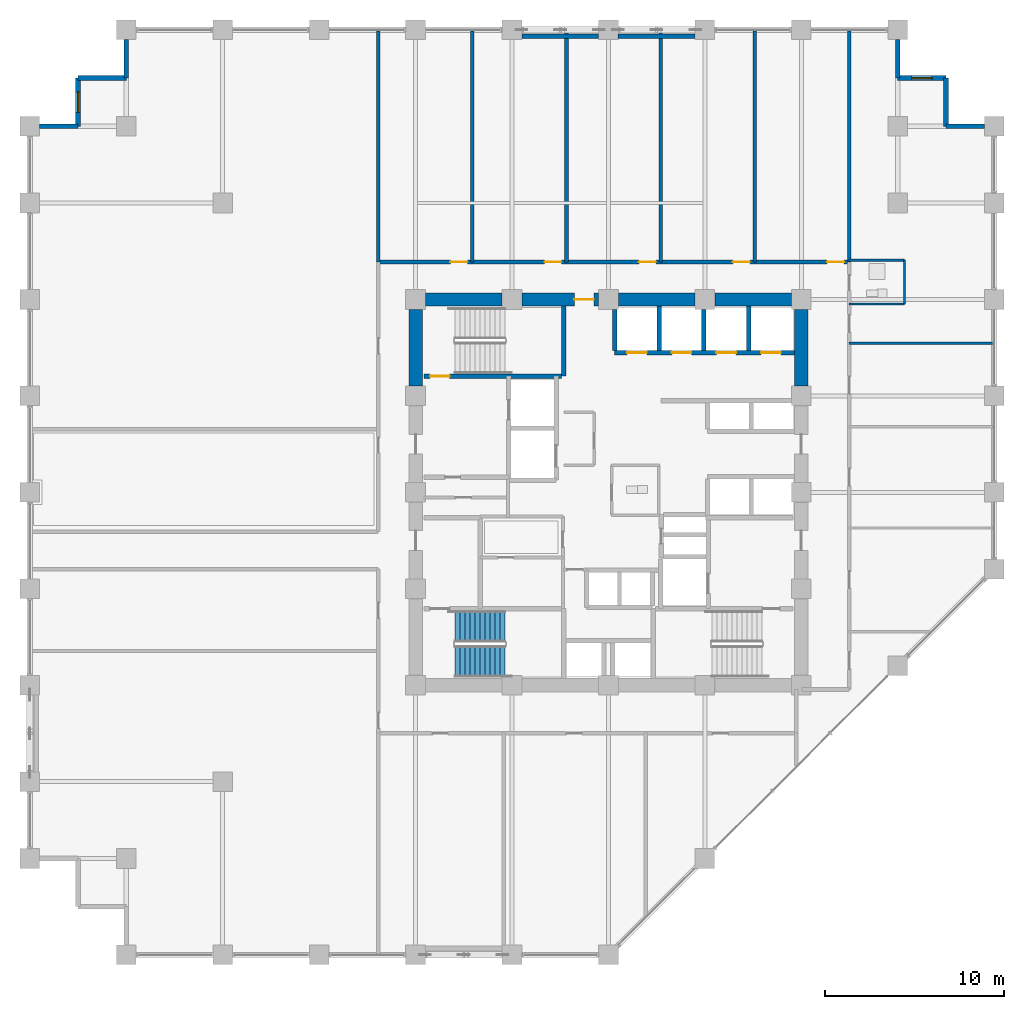
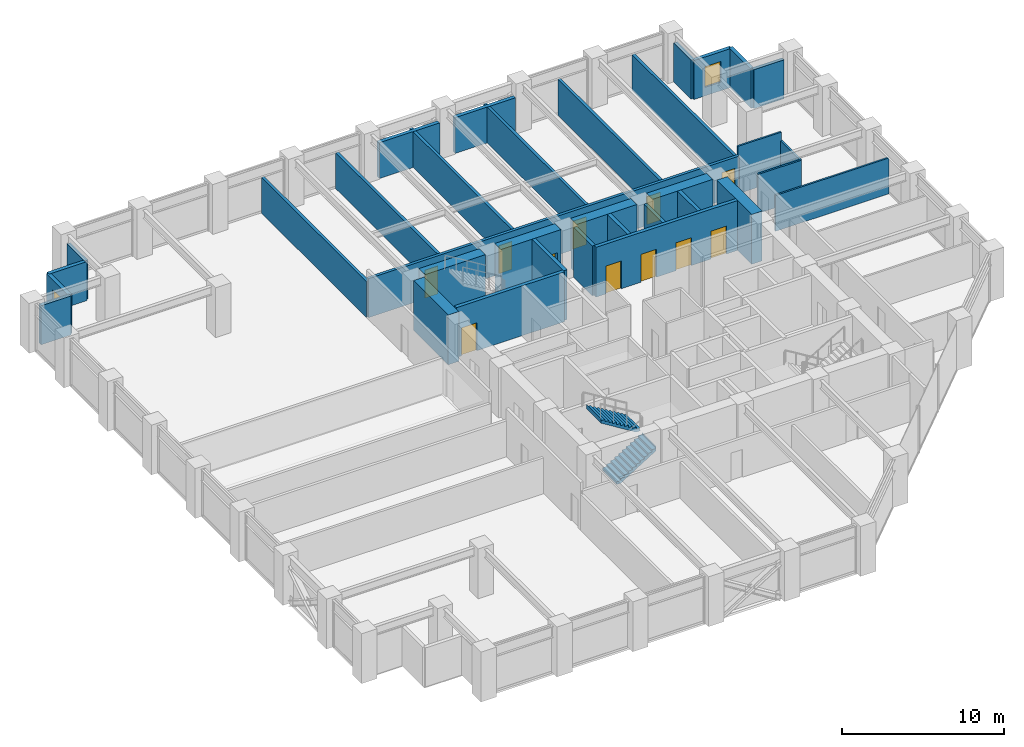
# One storey, part 21 of 25: 34 walls, 11 doors, 2 stair flights, 2 windows, 13 openings, 1 element without a shape of its own.
"""IFC4 building model written with IfcOpenShell, lengths in metres."""

from ifc_helpers import new_model, si_unit, direction, frame, frame_2d, origin, place, context, subcontext, project, spatial, polyline, rectangle, outline, extrude, material, layer, layer_set, type_object, element, fill, aggregate, save


model = new_model("IFC4")

# Units and contexts
model_context = context("Model", 3, precision=1e-05, world=origin(), true_north=direction((0.0, 1.0)))
body_context = subcontext(model_context, "Body", "Model", "MODEL_VIEW")
ifc_project = project(units=[si_unit("LENGTHUNIT", "METRE"), si_unit("AREAUNIT", "SQUARE_METRE"), si_unit("VOLUMEUNIT", "CUBIC_METRE"), si_unit("PLANEANGLEUNIT", "RADIAN"), si_unit("MASSUNIT", "GRAM", prefix="KILO")], contexts=[model_context])

# Site, building, storey
site_placement = place(None, origin())
site = spatial("IfcSite", under=ifc_project, at=site_placement, CompositionType="ELEMENT")
building_placement = place(site_placement, origin())
building = spatial("IfcBuilding", under=site, at=building_placement, Name="Surkhivell Harbour Commons", CompositionType="ELEMENT")
storey_placement = place(building_placement, frame((0.0, 0.0, 120.75)))
storey = spatial("IfcBuildingStorey", under=building, at=storey_placement, Name="L31", CompositionType="ELEMENT", Elevation=120.75)

# Wall
ifc_material_1 = material(Name="Concrete C60/75", Category="concrete")
ifc_layer_1 = layer(ifc_material_1, 0.75)
ifc_layer_set_1 = layer_set([ifc_layer_1], Name="Concrete C60/75")
wall_type_1 = type_object("IfcWallType", Name="WAL-CORE-750", PredefinedType="SHEAR", material=ifc_layer_set_1)
wall_1_placement = place(storey_placement, frame((-10.239990234375, 10.800048828125, 0.0), z_axis=(0.0, 0.0, 1.0), x_axis=(1.0, 0.0, 0.0)))
element("IfcWall", 1, at=wall_1_placement, inside=storey, type_object=wall_type_1, Name="L31 Core Shear Wall North 1", PredefinedType="SHEAR", context=body_context, shape_type="SweptSolid", body=[
    extrude(rectangle(XDim=4.280029296875, YDim=0.75, at=frame_2d((2.14013671875, 0.0))), origin(), (0.0, 0.0, 1.0), 3.75),
])

# Wall, opening, door
wall_2_placement = place(storey_placement, frame((-4.840087890625, 10.800048828125, 0.0), z_axis=(0.0, 0.0, 1.0), x_axis=(1.0, 0.0, 0.0)))
wall_2 = element("IfcWall", 2, at=wall_2_placement, inside=storey, type_object=wall_type_1, Name="L31 Core Shear Wall North 2", PredefinedType="SHEAR", context=body_context, shape_type="SweptSolid", body=[
    extrude(rectangle(XDim=4.280029296875, YDim=0.75, at=frame_2d((2.14013671875, 0.0))), origin(), (0.0, 0.0, 1.0), 3.75),
])
opening_1_placement = place(wall_2_placement, frame((2.929931640625, 0.0, 0.0)))
opening_1 = element("IfcOpeningElement", 3, at=opening_1_placement, cuts=wall_2, Name="Opening ID-2", PredefinedType="OPENING", context=body_context, shape_type="SweptSolid", body=[
    extrude(rectangle(XDim=1.10009765625, YDim=2.10009765625, at=frame_2d((0.550048828125, 1.050048828125))), frame((0.0, 0.385009765625, 0.0), z_axis=(0.0, -1.0, 0.0), x_axis=(1.0, 0.0, 0.0)), (0.0, 0.0, 1.0), 0.77001953125),
])
ifc_material_2 = material(Name="Hardwood-veneered fire-rated door leaf", Category="wood")
door_type_1 = type_object("IfcDoorType", Name="DOR-FD60-1100", OperationType="NOTDEFINED", PredefinedType="DOOR", material=ifc_material_2)
door_1_placement = place(opening_1_placement, origin())
door_1 = element("IfcDoor", 4, at=door_1_placement, inside=storey, type_object=door_type_1, Name="L31 Central Core Lift Hall North Corridor Door", OperationType="SINGLE_SWING_LEFT", OverallHeight=2.10009765625, OverallWidth=1.10009765625, PredefinedType="DOOR", context=body_context, shape_type="SweptSolid", body=[
    extrude(rectangle(XDim=1.10009765625, YDim=2.10009765625, at=frame_2d((0.550048828125, 1.050048828125))), frame((0.0, 0.02490234375, 0.0), z_axis=(0.0, -1.0, 0.0), x_axis=(1.0, 0.0, 0.0)), (0.0, 0.0, 1.0), 0.050048828125),
])
fill(opening_1, door_1)

# Walls
for number, where, z_axis, x_axis, name in (
    (5, (0.56005859375, 10.800048828125, 0.0), (0.0, 0.0, 1.0), (1.0, 0.0, 0.0), "L31 Core Shear Wall North 3"),
    (6, (5.9599609375, 10.800048828125, 0.0), (0.0, 0.0, 1.0), (1.0, 0.0, 0.0), "L31 Core Shear Wall North 4"),
    (7, (-10.800048828125, 5.9599609375, 0.0), (0.0, 0.0, 1.0), (0.0, 1.0, 0.0), "L31 Core Shear Wall West 4"),
    (8, (10.800048828125, 5.9599609375, 0.0), (0.0, 0.0, 1.0), (0.0, 1.0, 0.0), "L31 Core Shear Wall East 4"),
):
    element("IfcWall", number, at=place(storey_placement, frame(where, z_axis=z_axis, x_axis=x_axis)), inside=storey, type_object=wall_type_1, Name=name, PredefinedType="SHEAR", context=body_context, shape_type="SweptSolid", body=[
        extrude(rectangle(XDim=4.280029296875, YDim=0.75, at=frame_2d((2.14013671875, 0.0))), origin(), (0.0, 0.0, 1.0), 3.75),
    ])
ifc_material_3 = material(Name="Pale-metal insulated precast concrete C45/55", Category="concrete")
ifc_layer_2 = layer(ifc_material_3, 0.260009765625)
ifc_layer_set_2 = layer_set([ifc_layer_2], Name="Pale-metal insulated precast concrete C45/55")
wall_type_2 = type_object("IfcWallType", Name="WAL-EXT-MTL260", PredefinedType="STANDARD", material=ifc_layer_set_2)
wall_3_placement = place(storey_placement, frame((21.052001953125, 20.5, 0.0), z_axis=(0.0, 0.0, 1.0), x_axis=(-1.0, 0.0, 0.0)))
element("IfcWall", 9, at=wall_3_placement, inside=storey, type_object=wall_type_2, Name="L31 Serrated Corner Facade Wall 03", PredefinedType="STANDARD", context=body_context, shape_type="SweptSolid", body=[
    extrude(rectangle(XDim=2.152099609375, YDim=0.260009765625, at=frame_2d((1.076171875, 0.0))), origin(), (0.0, 0.0, 1.0), 2.93310546875),
])
wall_4_placement = place(storey_placement, frame((18.89990234375, 20.5, 0.0), z_axis=(0.0, 0.0, 1.0), x_axis=(0.0, 1.0, 0.0)))
element("IfcWall", 10, at=wall_4_placement, inside=storey, type_object=wall_type_2, Name="L31 Serrated Corner Facade Wall 04", PredefinedType="STANDARD", context=body_context, shape_type="SweptSolid", body=[
    extrude(rectangle(XDim=2.699951171875, YDim=0.260009765625, at=frame_2d((1.35009765625, 0.0))), origin(), (0.0, 0.0, 1.0), 2.93310546875),
])

# Wall, opening, window
wall_5_placement = place(storey_placement, frame((18.89990234375, 23.199951171875, 0.0), z_axis=(0.0, 0.0, 1.0), x_axis=(-1.0, 0.0, 0.0)))
wall_5 = element("IfcWall", 11, at=wall_5_placement, inside=storey, type_object=wall_type_2, Name="L31 Serrated Corner Facade Wall 05", PredefinedType="STANDARD", context=body_context, shape_type="SweptSolid", body=[
    extrude(rectangle(XDim=2.699951171875, YDim=0.260009765625, at=frame_2d((1.35009765625, 0.0))), origin(), (0.0, 0.0, 1.0), 2.93310546875),
])
opening_2_placement = place(wall_5_placement, frame((0.77490234375, 0.0, 0.64990234375)))
opening_2 = element("IfcOpeningElement", 12, at=opening_2_placement, cuts=wall_5, Name="Opening WN-10", PredefinedType="OPENING", context=body_context, shape_type="SweptSolid", body=[
    extrude(rectangle(XDim=1.14990234375, YDim=1.550048828125, at=frame_2d((0.574951171875, 0.77490234375))), frame((0.0, 0.139892578125, 0.0), z_axis=(0.0, -1.0, 0.0), x_axis=(1.0, 0.0, 0.0)), (0.0, 0.0, 1.0), 0.280029296875),
])
ifc_material_4 = material(Name="Thermal-break aluminium frame and double low-E glazing", Category="aluminium")
window_type = type_object("IfcWindowType", Name="WIN-SER-1150x1550", PartitioningType="SINGLE_PANEL", PredefinedType="WINDOW", material=ifc_material_4)
window_1_placement = place(opening_2_placement, origin())
window_1 = element("IfcWindow", 13, at=window_1_placement, inside=storey, type_object=window_type, Name="L31 Serrated Alcove Window 05", OverallHeight=1.550048828125, OverallWidth=1.14990234375, PartitioningType="SINGLE_PANEL", PredefinedType="WINDOW", context=body_context, shape_type="SweptSolid", body=[
    extrude(rectangle(XDim=1.14990234375, YDim=1.550048828125, at=frame_2d((0.574951171875, 0.77490234375))), frame((0.0, 0.030029296875, 0.0), z_axis=(0.0, -1.0, 0.0), x_axis=(1.0, 0.0, 0.0)), (0.0, 0.0, 1.0), 0.06005859375),
])
fill(opening_2, window_1)

# Walls
wall_6_placement = place(storey_placement, frame((16.199951171875, 23.199951171875, 0.0), z_axis=(0.0, 0.0, 1.0), x_axis=(0.0, 1.0, 0.0)))
element("IfcWall", 14, at=wall_6_placement, inside=storey, type_object=wall_type_2, Name="L31 Serrated Corner Facade Wall 06", PredefinedType="STANDARD", context=body_context, shape_type="SweptSolid", body=[
    extrude(rectangle(XDim=2.152099609375, YDim=0.260009765625, at=frame_2d((1.076171875, 0.0))), origin(), (0.0, 0.0, 1.0), 2.93310546875),
])
for number, where, z_axis, x_axis, name in (
    (15, (-0.548095703125, 25.5400390625, 0.0), (0.0, 0.0, 1.0), (-1.0, 0.0, 0.0), "L31 Braced-Bay Insulated Spandrel Backing N"),
    (16, (4.85205078125, 25.5400390625, 0.0), (0.0, 0.0, 1.0), (-1.0, 0.0, 0.0), "L31 Braced-Bay Insulated Spandrel Backing N2"),
):
    element("IfcWall", number, at=place(storey_placement, frame(where, z_axis=z_axis, x_axis=x_axis)), inside=storey, type_object=wall_type_2, Name=name, PredefinedType="STANDARD", context=body_context, shape_type="SweptSolid", body=[
        extrude(rectangle(XDim=4.303955078125, YDim=0.260009765625, at=frame_2d((2.15185546875, 0.0))), origin(), (0.0, 0.0, 1.0), 2.698974609375),
    ])
wall_7_placement = place(storey_placement, frame((-27.0, 25.35205078125, 0.0), z_axis=(0.0, 0.0, 1.0), x_axis=(0.0, -1.0, 0.0)))
element("IfcWall", 17, at=wall_7_placement, inside=storey, type_object=wall_type_2, Name="L31 Serrated Corner Facade Wall 08", PredefinedType="STANDARD", context=body_context, shape_type="SweptSolid", body=[
    extrude(rectangle(XDim=2.152099609375, YDim=0.260009765625, at=frame_2d((1.076171875, 0.0))), origin(), (0.0, 0.0, 1.0), 2.93310546875),
])
wall_8_placement = place(storey_placement, frame((-27.0, 23.199951171875, 0.0), z_axis=(0.0, 0.0, 1.0), x_axis=(-1.0, 0.0, 0.0)))
element("IfcWall", 18, at=wall_8_placement, inside=storey, type_object=wall_type_2, Name="L31 Serrated Corner Facade Wall 09", PredefinedType="STANDARD", context=body_context, shape_type="SweptSolid", body=[
    extrude(rectangle(XDim=2.699951171875, YDim=0.260009765625, at=frame_2d((1.35009765625, 0.0))), origin(), (0.0, 0.0, 1.0), 2.93310546875),
])

# Wall, opening, window
wall_9_placement = place(storey_placement, frame((-29.699951171875, 23.199951171875, 0.0), z_axis=(0.0, 0.0, 1.0), x_axis=(0.0, -1.0, 0.0)))
wall_9 = element("IfcWall", 19, at=wall_9_placement, inside=storey, type_object=wall_type_2, Name="L31 Serrated Corner Facade Wall 10", PredefinedType="STANDARD", context=body_context, shape_type="SweptSolid", body=[
    extrude(rectangle(XDim=2.699951171875, YDim=0.260009765625, at=frame_2d((1.35009765625, 0.0))), origin(), (0.0, 0.0, 1.0), 2.93310546875),
])
opening_3_placement = place(wall_9_placement, frame((0.77490234375, 0.0, 0.64990234375)))
opening_3 = element("IfcOpeningElement", 20, at=opening_3_placement, cuts=wall_9, Name="Opening WN-10", PredefinedType="OPENING", context=body_context, shape_type="SweptSolid", body=[
    extrude(rectangle(XDim=1.14990234375, YDim=1.550048828125, at=frame_2d((0.574951171875, 0.77490234375))), frame((0.0, 0.139892578125, 0.0), z_axis=(0.0, -1.0, 0.0), x_axis=(1.0, 0.0, 0.0)), (0.0, 0.0, 1.0), 0.280029296875),
])
window_2_placement = place(opening_3_placement, origin())
window_2 = element("IfcWindow", 21, at=window_2_placement, inside=storey, type_object=window_type, Name="L31 Serrated Alcove Window 10", OverallHeight=1.550048828125, OverallWidth=1.14990234375, PartitioningType="SINGLE_PANEL", PredefinedType="WINDOW", context=body_context, shape_type="SweptSolid", body=[
    extrude(rectangle(XDim=1.14990234375, YDim=1.550048828125, at=frame_2d((0.574951171875, 0.77490234375))), frame((0.0, 0.030029296875, 0.0), z_axis=(0.0, -1.0, 0.0), x_axis=(1.0, 0.0, 0.0)), (0.0, 0.0, 1.0), 0.06005859375),
])
fill(opening_3, window_2)

# Walls
wall_10_placement = place(storey_placement, frame((-29.699951171875, 20.5, 0.0), z_axis=(0.0, 0.0, 1.0), x_axis=(-1.0, 0.0, 0.0)))
element("IfcWall", 22, at=wall_10_placement, inside=storey, type_object=wall_type_2, Name="L31 Serrated Corner Facade Wall 11", PredefinedType="STANDARD", context=body_context, shape_type="SweptSolid", body=[
    extrude(rectangle(XDim=2.152099609375, YDim=0.260009765625, at=frame_2d((1.076171875, 0.0))), origin(), (0.0, 0.0, 1.0), 2.93310546875),
])
ifc_material_5 = material(Name="Moisture-resistant acoustic stud partition", Category="other")
ifc_layer_3 = layer(ifc_material_5, 0.125)
ifc_layer_set_3 = layer_set([ifc_layer_3], Name="Moisture-resistant acoustic stud partition")
wall_type_3 = type_object("IfcWallType", Name="WAL-INT-125", PredefinedType="PARTITIONING", material=ifc_layer_set_3)
wall_11_placement = place(storey_placement, frame((16.580078125, 10.550048828125, 0.0), z_axis=(0.0, 0.0, 1.0), x_axis=(0.0, 1.0, 0.0)))
element("IfcWall", 23, at=wall_11_placement, inside=storey, type_object=wall_type_3, Name="L31 East Partition BTHB", PredefinedType="PARTITIONING", context=body_context, shape_type="SweptSolid", body=[
    extrude(rectangle(XDim=2.449951171875, YDim=0.125, at=frame_2d((1.22509765625, 0.0))), origin(), (0.0, 0.0, 1.0), 2.93310546875),
])
wall_12_placement = place(storey_placement, frame((13.47998046875, 13.0, 0.0), z_axis=(0.0, 0.0, 1.0), x_axis=(1.0, 0.0, 0.0)))
element("IfcWall", 24, at=wall_12_placement, inside=storey, type_object=wall_type_3, Name="L31 East Partition BTHN", PredefinedType="PARTITIONING", context=body_context, shape_type="SweptSolid", body=[
    extrude(rectangle(XDim=3.10009765625, YDim=0.125, at=frame_2d((1.550048828125, 0.0))), origin(), (0.0, 0.0, 1.0), 3.570068359375),
])
wall_13_placement = place(storey_placement, frame((13.47998046875, 10.550048828125, 0.0), z_axis=(0.0, 0.0, 1.0), x_axis=(1.0, 0.0, 0.0)))
element("IfcWall", 25, at=wall_13_placement, inside=storey, type_object=wall_type_3, Name="L31 East Partition BTHS", PredefinedType="PARTITIONING", context=body_context, shape_type="SweptSolid", body=[
    extrude(rectangle(XDim=3.10009765625, YDim=0.125, at=frame_2d((1.550048828125, 0.0))), origin(), (0.0, 0.0, 1.0), 2.93310546875),
])
wall_14_placement = place(storey_placement, frame((13.47998046875, 8.35009765625, 0.0), z_axis=(0.0, 0.0, 1.0), x_axis=(1.0, 0.0, 0.0)))
element("IfcWall", 26, at=wall_14_placement, inside=storey, type_object=wall_type_3, Name="L31 East Partition PTOP", PredefinedType="PARTITIONING", context=body_context, shape_type="SweptSolid", body=[
    extrude(rectangle(XDim=8.06005859375, YDim=0.125, at=frame_2d((4.030029296875, 0.0))), origin(), (0.0, 0.0, 1.0), 2.698974609375),
])
ifc_material_6 = material(Name="Autoclaved aerated concrete blockwork and fire plaster", Category="masonry")
ifc_layer_4 = layer(ifc_material_6, 0.199951171875)
ifc_layer_set_4 = layer_set([ifc_layer_4], Name="Autoclaved aerated concrete blockwork and fire plaster")
wall_type_4 = type_object("IfcWallType", Name="WAL-INT-200", PredefinedType="PARTITIONING", material=ifc_layer_set_4)
for number, where, z_axis, x_axis, name in (
    (27, (13.47998046875, 12.89990234375, 0.0), (0.0, 0.0, 1.0), (0.0, 1.0, 0.0), "L31 North-East Wing Corner Divider"),
    (28, (-12.89990234375, 12.89990234375, 0.0), (0.0, 0.0, 1.0), (0.0, 1.0, 0.0), "L31 North-West Wing Corner Divider"),
):
    element("IfcWall", number, at=place(storey_placement, frame(where, z_axis=z_axis, x_axis=x_axis)), inside=storey, type_object=wall_type_4, Name=name, PredefinedType="PARTITIONING", context=body_context, shape_type="SweptSolid", body=[
        extrude(rectangle(XDim=12.940185546875, YDim=0.199951171875, at=frame_2d((6.47021484375, 0.0))), origin(), (0.0, 0.0, 1.0), 2.698974609375),
    ])

# Wall, openings, doors
wall_15_placement = place(storey_placement, frame((-12.89990234375, 12.89990234375, 0.0), z_axis=(0.0, 0.0, 1.0), x_axis=(1.0, 0.0, 0.0)))
wall_15 = element("IfcWall", 29, at=wall_15_placement, inside=storey, type_object=wall_type_4, Name="L31 Corridor North Wall", PredefinedType="PARTITIONING", context=body_context, shape_type="SweptSolid", body=[
    extrude(rectangle(XDim=26.3798828125, YDim=0.199951171875, at=frame_2d((13.18994140625, 0.0))), origin(), (0.0, 0.0, 1.0), 2.93310546875),
])
opening_4_placement = place(wall_15_placement, frame((4.050048828125, 0.0, 0.0)))
opening_4 = element("IfcOpeningElement", 30, at=opening_4_placement, cuts=wall_15, Name="Opening ID-4", PredefinedType="OPENING", context=body_context, shape_type="SweptSolid", body=[
    extrude(rectangle(XDim=0.949951171875, YDim=2.10009765625, at=frame_2d((0.47509765625, 1.050048828125))), frame((0.0, 0.10986328125, 0.0), z_axis=(0.0, -1.0, 0.0), x_axis=(1.0, 0.0, 0.0)), (0.0, 0.0, 1.0), 0.219970703125),
])
opening_5_placement = place(wall_15_placement, frame((9.320068359375, 0.0, 0.0)))
opening_5 = element("IfcOpeningElement", 31, at=opening_5_placement, cuts=wall_15, Name="Opening ID-4", PredefinedType="OPENING", context=body_context, shape_type="SweptSolid", body=[
    extrude(rectangle(XDim=0.949951171875, YDim=2.10009765625, at=frame_2d((0.47509765625, 1.050048828125))), frame((0.0, 0.10986328125, 0.0), z_axis=(0.0, -1.0, 0.0), x_axis=(1.0, 0.0, 0.0)), (0.0, 0.0, 1.0), 0.219970703125),
])
opening_6_placement = place(wall_15_placement, frame((14.60009765625, 0.0, 0.0)))
opening_6 = element("IfcOpeningElement", 32, at=opening_6_placement, cuts=wall_15, Name="Opening ID-4", PredefinedType="OPENING", context=body_context, shape_type="SweptSolid", body=[
    extrude(rectangle(XDim=0.949951171875, YDim=2.10009765625, at=frame_2d((0.47509765625, 1.050048828125))), frame((0.0, 0.10986328125, 0.0), z_axis=(0.0, -1.0, 0.0), x_axis=(1.0, 0.0, 0.0)), (0.0, 0.0, 1.0), 0.219970703125),
])
opening_7_placement = place(wall_15_placement, frame((19.8701171875, 0.0, 0.0)))
opening_7 = element("IfcOpeningElement", 33, at=opening_7_placement, cuts=wall_15, Name="Opening ID-4", PredefinedType="OPENING", context=body_context, shape_type="SweptSolid", body=[
    extrude(rectangle(XDim=0.949951171875, YDim=2.10009765625, at=frame_2d((0.47509765625, 1.050048828125))), frame((0.0, 0.10986328125, 0.0), z_axis=(0.0, -1.0, 0.0), x_axis=(1.0, 0.0, 0.0)), (0.0, 0.0, 1.0), 0.219970703125),
])
opening_8_placement = place(wall_15_placement, frame((25.14990234375, 0.0, 0.0)))
opening_8 = element("IfcOpeningElement", 34, at=opening_8_placement, cuts=wall_15, Name="Opening ID-4", PredefinedType="OPENING", context=body_context, shape_type="SweptSolid", body=[
    extrude(rectangle(XDim=0.949951171875, YDim=2.10009765625, at=frame_2d((0.47509765625, 1.050048828125))), frame((0.0, 0.10986328125, 0.0), z_axis=(0.0, -1.0, 0.0), x_axis=(1.0, 0.0, 0.0)), (0.0, 0.0, 1.0), 0.219970703125),
])
door_type_2 = type_object("IfcDoorType", Name="DOR-FD60-950", OperationType="NOTDEFINED", PredefinedType="DOOR", material=ifc_material_2)
door_2_placement = place(opening_4_placement, origin())
door_2 = element("IfcDoor", 35, at=door_2_placement, inside=storey, type_object=door_type_2, Name="L31 Co-Working Study Office Pod 1 North Door", OperationType="SINGLE_SWING_RIGHT", OverallHeight=2.10009765625, OverallWidth=0.949951171875, PredefinedType="DOOR", context=body_context, shape_type="SweptSolid", body=[
    extrude(rectangle(XDim=0.949951171875, YDim=2.10009765625, at=frame_2d((0.47509765625, 1.050048828125))), frame((0.0, 0.02490234375, 0.0), z_axis=(0.0, -1.0, 0.0), x_axis=(1.0, 0.0, 0.0)), (0.0, 0.0, 1.0), 0.050048828125),
])
fill(opening_4, door_2)
door_3_placement = place(opening_5_placement, origin())
door_3 = element("IfcDoor", 36, at=door_3_placement, inside=storey, type_object=door_type_2, Name="L31 Academic Seminar Pod 2 North Door", OperationType="SINGLE_SWING_LEFT", OverallHeight=2.10009765625, OverallWidth=0.949951171875, PredefinedType="DOOR", context=body_context, shape_type="SweptSolid", body=[
    extrude(rectangle(XDim=0.949951171875, YDim=2.10009765625, at=frame_2d((0.47509765625, 1.050048828125))), frame((0.0, 0.02490234375, 0.0), z_axis=(0.0, -1.0, 0.0), x_axis=(1.0, 0.0, 0.0)), (0.0, 0.0, 1.0), 0.050048828125),
])
fill(opening_5, door_3)
door_4_placement = place(opening_6_placement, origin())
door_4 = element("IfcDoor", 37, at=door_4_placement, inside=storey, type_object=door_type_2, Name="L31 Harbour Espresso Cafe Shop 3 North Door", OperationType="SINGLE_SWING_RIGHT", OverallHeight=2.10009765625, OverallWidth=0.949951171875, PredefinedType="DOOR", context=body_context, shape_type="SweptSolid", body=[
    extrude(rectangle(XDim=0.949951171875, YDim=2.10009765625, at=frame_2d((0.47509765625, 1.050048828125))), frame((0.0, 0.02490234375, 0.0), z_axis=(0.0, -1.0, 0.0), x_axis=(1.0, 0.0, 0.0)), (0.0, 0.0, 1.0), 0.050048828125),
])
fill(opening_6, door_4)
door_5_placement = place(opening_7_placement, origin())
door_5 = element("IfcDoor", 38, at=door_5_placement, inside=storey, type_object=door_type_2, Name="L31 Zone Concierge Reception Foyer 4 North Door", OperationType="SINGLE_SWING_LEFT", OverallHeight=2.10009765625, OverallWidth=0.949951171875, PredefinedType="DOOR", context=body_context, shape_type="SweptSolid", body=[
    extrude(rectangle(XDim=0.949951171875, YDim=2.10009765625, at=frame_2d((0.47509765625, 1.050048828125))), frame((0.0, 0.02490234375, 0.0), z_axis=(0.0, -1.0, 0.0), x_axis=(1.0, 0.0, 0.0)), (0.0, 0.0, 1.0), 0.050048828125),
])
fill(opening_7, door_5)
door_6_placement = place(opening_8_placement, origin())
door_6 = element("IfcDoor", 39, at=door_6_placement, inside=storey, type_object=door_type_2, Name="L31 Shared Communal Kitchen 5 North Door", OperationType="SINGLE_SWING_RIGHT", OverallHeight=2.10009765625, OverallWidth=0.949951171875, PredefinedType="DOOR", context=body_context, shape_type="SweptSolid", body=[
    extrude(rectangle(XDim=0.949951171875, YDim=2.10009765625, at=frame_2d((0.47509765625, 1.050048828125))), frame((0.0, 0.02490234375, 0.0), z_axis=(0.0, -1.0, 0.0), x_axis=(1.0, 0.0, 0.0)), (0.0, 0.0, 1.0), 0.050048828125),
])
fill(opening_8, door_6)

# Walls
for number, where, z_axis, x_axis, name in (
    (40, (-7.6201171875, 12.89990234375, 0.0), (0.0, 0.0, 1.0), (0.0, 1.0, 0.0), "L31 North Partition P1"),
    (41, (-2.35009765625, 12.89990234375, 0.0), (0.0, 0.0, 1.0), (0.0, 1.0, 0.0), "L31 North Partition P2"),
    (42, (2.929931640625, 12.89990234375, 0.0), (0.0, 0.0, 1.0), (0.0, 1.0, 0.0), "L31 North Partition P3"),
    (43, (8.199951171875, 12.89990234375, 0.0), (0.0, 0.0, 1.0), (0.0, 1.0, 0.0), "L31 North Partition P4"),
):
    element("IfcWall", number, at=place(storey_placement, frame(where, z_axis=z_axis, x_axis=x_axis)), inside=storey, type_object=wall_type_4, Name=name, PredefinedType="PARTITIONING", context=body_context, shape_type="SweptSolid", body=[
        extrude(rectangle(XDim=12.940185546875, YDim=0.199951171875, at=frame_2d((6.47021484375, 0.0))), origin(), (0.0, 0.0, 1.0), 2.698974609375),
    ])
ifc_material_7 = material(Name="Concrete C50/60", Category="concrete")
ifc_layer_5 = layer(ifc_material_7, 0.25)
ifc_layer_set_5 = layer_set([ifc_layer_5], Name="Concrete C50/60")
wall_type_5 = type_object("IfcWallType", Name="WAL-SHAFT-250", PredefinedType="SHEAR", material=ifc_layer_set_5)
wall_16_placement = place(storey_placement, frame((2.85009765625, 7.93994140625, 0.0), z_axis=(0.0, 0.0, 1.0), x_axis=(0.0, 1.0, 0.0)))
element("IfcWall", 44, at=wall_16_placement, inside=storey, type_object=wall_type_5, Name="L31 Low-Rise Hoistway Wall", PredefinedType="SHEAR", context=body_context, shape_type="SweptSolid", body=[
    extrude(rectangle(XDim=2.485107421875, YDim=0.25, at=frame_2d((1.24267578125, 0.0))), origin(), (0.0, 0.0, 1.0), 3.75),
])
for number, where, z_axis, x_axis, name in (
    (45, (0.35009765625, 7.93994140625, 0.0), (0.0, 0.0, 1.0), (0.0, 1.0, 0.0), "L31 Low-Rise Hoistway Wall"),
    (46, (5.35009765625, 7.93994140625, 0.0), (0.0, 0.0, 1.0), (0.0, 1.0, 0.0), "L31 Low-Rise Hoistway Wall"),
):
    element("IfcWall", number, at=place(storey_placement, frame(where, z_axis=z_axis, x_axis=x_axis)), inside=storey, type_object=wall_type_5, Name=name, PredefinedType="SHEAR", context=body_context, shape_type="SweptSolid", body=[
        extrude(rectangle(XDim=2.31005859375, YDim=0.25, at=frame_2d((1.155029296875, 0.0))), origin(), (0.0, 0.0, 1.0), 3.75),
    ])
wall_17_placement = place(storey_placement, frame((7.85009765625, 7.93994140625, 0.0), z_axis=(0.0, 0.0, 1.0), x_axis=(0.0, 1.0, 0.0)))
element("IfcWall", 47, at=wall_17_placement, inside=storey, type_object=wall_type_5, Name="L31 Low-Rise Hoistway Wall", PredefinedType="SHEAR", context=body_context, shape_type="SweptSolid", body=[
    extrude(rectangle(XDim=2.485107421875, YDim=0.25, at=frame_2d((1.24267578125, 0.0))), origin(), (0.0, 0.0, 1.0), 3.75),
])

# Wall, openings, doors
wall_18_placement = place(storey_placement, frame((0.35009765625, 7.820068359375, 0.0), z_axis=(0.0, 0.0, 1.0), x_axis=(1.0, 0.0, 0.0)))
wall_18 = element("IfcWall", 48, at=wall_18_placement, inside=storey, type_object=wall_type_5, Name="L31 Low-Rise Lift Front Shaft Wall", PredefinedType="SHEAR", context=body_context, shape_type="SweptSolid", body=[
    extrude(rectangle(XDim=10.074951171875, YDim=0.25, at=frame_2d((5.03759765625, 0.0))), origin(), (0.0, 0.0, 1.0), 3.75),
])
opening_9_placement = place(wall_18_placement, frame((0.699951171875, 0.0, 0.0)))
opening_9 = element("IfcOpeningElement", 49, at=opening_9_placement, cuts=wall_18, Name="Opening LD-1", PredefinedType="OPENING", context=body_context, shape_type="SweptSolid", body=[
    extrude(rectangle(XDim=1.10009765625, YDim=2.10009765625, at=frame_2d((0.550048828125, 1.050048828125))), frame((0.0, 0.135009765625, 0.0), z_axis=(0.0, -1.0, 0.0), x_axis=(1.0, 0.0, 0.0)), (0.0, 0.0, 1.0), 0.27001953125),
])
opening_10_placement = place(wall_18_placement, frame((3.199951171875, 0.0, 0.0)))
opening_10 = element("IfcOpeningElement", 50, at=opening_10_placement, cuts=wall_18, Name="Opening LD-1", PredefinedType="OPENING", context=body_context, shape_type="SweptSolid", body=[
    extrude(rectangle(XDim=1.10009765625, YDim=2.10009765625, at=frame_2d((0.550048828125, 1.050048828125))), frame((0.0, 0.135009765625, 0.0), z_axis=(0.0, -1.0, 0.0), x_axis=(1.0, 0.0, 0.0)), (0.0, 0.0, 1.0), 0.27001953125),
])
opening_11_placement = place(wall_18_placement, frame((5.699951171875, 0.0, 0.0)))
opening_11 = element("IfcOpeningElement", 51, at=opening_11_placement, cuts=wall_18, Name="Opening LD-1", PredefinedType="OPENING", context=body_context, shape_type="SweptSolid", body=[
    extrude(rectangle(XDim=1.10009765625, YDim=2.10009765625, at=frame_2d((0.550048828125, 1.050048828125))), frame((0.0, 0.135009765625, 0.0), z_axis=(0.0, -1.0, 0.0), x_axis=(1.0, 0.0, 0.0)), (0.0, 0.0, 1.0), 0.27001953125),
])
opening_12_placement = place(wall_18_placement, frame((8.199951171875, 0.0, 0.0)))
opening_12 = element("IfcOpeningElement", 52, at=opening_12_placement, cuts=wall_18, Name="Opening LD-1", PredefinedType="OPENING", context=body_context, shape_type="SweptSolid", body=[
    extrude(rectangle(XDim=1.10009765625, YDim=2.10009765625, at=frame_2d((0.550048828125, 1.050048828125))), frame((0.0, 0.135009765625, 0.0), z_axis=(0.0, -1.0, 0.0), x_axis=(1.0, 0.0, 0.0)), (0.0, 0.0, 1.0), 0.27001953125),
])
ifc_material_8 = material(Name="Brushed stainless steel S355", Category="steel")
door_type_3 = type_object("IfcDoorType", Name="DOR-LD-1100", OperationType="SLIDING_TO_LEFT", PredefinedType="DOOR", material=ifc_material_8)
door_7_placement = place(opening_9_placement, origin())
door_7 = element("IfcDoor", 53, at=door_7_placement, inside=storey, type_object=door_type_3, Name="L31 Lift Landing Door LD-PL1", OperationType="SLIDING_TO_LEFT", OverallHeight=2.10009765625, OverallWidth=1.10009765625, PredefinedType="DOOR", context=body_context, shape_type="SweptSolid", body=[
    extrude(rectangle(XDim=1.10009765625, YDim=2.10009765625, at=frame_2d((0.550048828125, 1.050048828125))), frame((0.0, 0.02490234375, 0.0), z_axis=(0.0, -1.0, 0.0), x_axis=(1.0, 0.0, 0.0)), (0.0, 0.0, 1.0), 0.050048828125),
])
fill(opening_9, door_7)
door_8_placement = place(opening_10_placement, origin())
door_8 = element("IfcDoor", 54, at=door_8_placement, inside=storey, type_object=door_type_3, Name="L31 Lift Landing Door LD-PL2", OperationType="SLIDING_TO_LEFT", OverallHeight=2.10009765625, OverallWidth=1.10009765625, PredefinedType="DOOR", context=body_context, shape_type="SweptSolid", body=[
    extrude(rectangle(XDim=1.10009765625, YDim=2.10009765625, at=frame_2d((0.550048828125, 1.050048828125))), frame((0.0, 0.02490234375, 0.0), z_axis=(0.0, -1.0, 0.0), x_axis=(1.0, 0.0, 0.0)), (0.0, 0.0, 1.0), 0.050048828125),
])
fill(opening_10, door_8)
door_9_placement = place(opening_11_placement, origin())
door_9 = element("IfcDoor", 55, at=door_9_placement, inside=storey, type_object=door_type_3, Name="L31 Lift Landing Door LD-PL3", OperationType="SLIDING_TO_LEFT", OverallHeight=2.10009765625, OverallWidth=1.10009765625, PredefinedType="DOOR", context=body_context, shape_type="SweptSolid", body=[
    extrude(rectangle(XDim=1.10009765625, YDim=2.10009765625, at=frame_2d((0.550048828125, 1.050048828125))), frame((0.0, 0.02490234375, 0.0), z_axis=(0.0, -1.0, 0.0), x_axis=(1.0, 0.0, 0.0)), (0.0, 0.0, 1.0), 0.050048828125),
])
fill(opening_11, door_9)
door_10_placement = place(opening_12_placement, origin())
door_10 = element("IfcDoor", 56, at=door_10_placement, inside=storey, type_object=door_type_3, Name="L31 Lift Landing Door LD-PL4", OperationType="SLIDING_TO_LEFT", OverallHeight=2.10009765625, OverallWidth=1.10009765625, PredefinedType="DOOR", context=body_context, shape_type="SweptSolid", body=[
    extrude(rectangle(XDim=1.10009765625, YDim=2.10009765625, at=frame_2d((0.550048828125, 1.050048828125))), frame((0.0, 0.02490234375, 0.0), z_axis=(0.0, -1.0, 0.0), x_axis=(1.0, 0.0, 0.0)), (0.0, 0.0, 1.0), 0.050048828125),
])
fill(opening_12, door_10)

# Wall
wall_19_placement = place(storey_placement, frame((-2.510009765625, 6.510009765625, 0.0), z_axis=(0.0, 0.0, 1.0), x_axis=(0.0, 1.0, 0.0)))
element("IfcWall", 57, at=wall_19_placement, inside=storey, type_object=wall_type_5, Name="L31 Stair ST1 East Shear Wall", PredefinedType="SHEAR", context=body_context, shape_type="SweptSolid", body=[
    extrude(rectangle(XDim=3.9150390625, YDim=0.25, at=frame_2d((1.95751953125, 0.0))), origin(), (0.0, 0.0, 1.0), 3.75),
])

# Wall, opening, door
wall_20_placement = place(storey_placement, frame((-10.340087890625, 6.510009765625, 0.0), z_axis=(0.0, 0.0, 1.0), x_axis=(1.0, 0.0, 0.0)))
wall_20 = element("IfcWall", 58, at=wall_20_placement, inside=storey, type_object=wall_type_5, Name="L31 Stair ST1 South Shear Wall", PredefinedType="SHEAR", context=body_context, shape_type="SweptSolid", body=[
    extrude(rectangle(XDim=7.7001953125, YDim=0.25, at=frame_2d((3.85009765625, 0.0))), origin(), (0.0, 0.0, 1.0), 3.75),
])
opening_13_placement = place(wall_20_placement, frame((0.35009765625, 0.0, 0.0)))
opening_13 = element("IfcOpeningElement", 59, at=opening_13_placement, cuts=wall_20, Name="Opening ID-2", PredefinedType="OPENING", context=body_context, shape_type="SweptSolid", body=[
    extrude(rectangle(XDim=1.10009765625, YDim=2.10009765625, at=frame_2d((0.550048828125, 1.050048828125))), frame((0.0, 0.135009765625, 0.0), z_axis=(0.0, -1.0, 0.0), x_axis=(1.0, 0.0, 0.0)), (0.0, 0.0, 1.0), 0.27001953125),
])
door_11_placement = place(opening_13_placement, origin())
door_11 = element("IfcDoor", 60, at=door_11_placement, inside=storey, type_object=door_type_1, Name="L31 Stair ST1 Exit Door", OperationType="SINGLE_SWING_LEFT", OverallHeight=2.10009765625, OverallWidth=1.10009765625, PredefinedType="DOOR", context=body_context, shape_type="SweptSolid", body=[
    extrude(rectangle(XDim=1.10009765625, YDim=2.10009765625, at=frame_2d((0.550048828125, 1.050048828125))), frame((0.0, 0.02490234375, 0.0), z_axis=(0.0, -1.0, 0.0), x_axis=(1.0, 0.0, 0.0)), (0.0, 0.0, 1.0), 0.050048828125),
])
fill(opening_13, door_11)

# Stair, stair flights
ifc_material_9 = material(Name="Precast concrete C45/55", Category="concrete")
stair_type = type_object("IfcStairType", Name="STR-DL-375", PredefinedType="HALF_TURN_STAIR", material=ifc_material_9)
stair_placement = place(storey_placement, origin())
stair = element("IfcStair", 61, at=stair_placement, inside=storey, type_object=stair_type, Name="L31 Core Exit Stair ST3", PredefinedType="HALF_TURN_STAIR")
stair_flight_type = type_object("IfcStairFlightType", Name="STF-DL-375", PredefinedType="STRAIGHT", material=ifc_material_9)
stair_flight_1_placement = place(storey_placement, frame((-8.590087890625, -9.465087890625, 0.0), z_axis=(0.0, 0.0, 1.0), x_axis=(1.0, 0.0, 0.0)))
stair_flight_1 = element("IfcStairFlight", 62, at=stair_flight_1_placement, type_object=stair_flight_type, Name="ST3 flight 1", NumberOfRisers=11, NumberOfTreads=10, PredefinedType="STRAIGHT", RiserHeight=0.170454545, TreadLength=0.28, context=body_context, shape_type="SweptSolid", body=[
    extrude(outline(polyline([(-0.0029296875, -0.034912109375), (-0.0029296875, 0.0), (0.0, 0.0), (0.0, 0.17041015625), (0.280029296875, 0.17041015625), (0.280029296875, 0.3408203125), (0.56005859375, 0.3408203125), (0.56005859375, 0.511474609375), (0.840087890625, 0.511474609375), (0.840087890625, 0.681884765625), (1.1201171875, 0.681884765625), (1.1201171875, 0.852294921875), (1.39990234375, 0.852294921875), (1.39990234375, 1.022705078125), (1.679931640625, 1.022705078125), (1.679931640625, 1.193115234375), (1.9599609375, 1.193115234375), (1.9599609375, 1.363525390625), (2.239990234375, 1.363525390625), (2.239990234375, 1.5341796875), (2.52001953125, 1.5341796875), (2.52001953125, 1.70458984375), (2.800048828125, 1.70458984375), (2.800048828125, 1.875), (2.802978515625, 1.875), (2.802978515625, 1.529052734375), (0.288330078125, -0.034912109375), (-0.0029296875, -0.034912109375)])), frame((0.0, 0.875, 0.0), z_axis=(0.0, -1.0, 0.0), x_axis=(1.0, 0.0, 0.0)), (0.0, 0.0, 1.0), 1.75),
])
stair_flight_2_placement = place(storey_placement, frame((-5.7900390625, -7.514892578125, 1.875), z_axis=(0.0, 0.0, 1.0), x_axis=(-1.0, 0.0, 0.0)))
stair_flight_2 = element("IfcStairFlight", 63, at=stair_flight_2_placement, type_object=stair_flight_type, Name="ST3 flight 2", NumberOfRisers=11, NumberOfTreads=10, PredefinedType="STRAIGHT", RiserHeight=0.170454545, TreadLength=0.28, context=body_context, shape_type="SweptSolid", body=[
    extrude(outline(polyline([(-0.0029296875, -0.034912109375), (-0.0029296875, 0.0), (0.0, 0.0), (0.0, 0.17041015625), (0.280029296875, 0.17041015625), (0.280029296875, 0.3408203125), (0.56005859375, 0.3408203125), (0.56005859375, 0.511474609375), (0.840087890625, 0.511474609375), (0.840087890625, 0.681884765625), (1.1201171875, 0.681884765625), (1.1201171875, 0.852294921875), (1.39990234375, 0.852294921875), (1.39990234375, 1.022705078125), (1.679931640625, 1.022705078125), (1.679931640625, 1.193115234375), (1.9599609375, 1.193115234375), (1.9599609375, 1.363525390625), (2.239990234375, 1.363525390625), (2.239990234375, 1.5341796875), (2.52001953125, 1.5341796875), (2.52001953125, 1.70458984375), (2.800048828125, 1.70458984375), (2.800048828125, 1.875), (2.802978515625, 1.875), (2.802978515625, 1.529052734375), (0.288330078125, -0.034912109375), (-0.0029296875, -0.034912109375)])), frame((0.0, 0.875, 0.0), z_axis=(0.0, -1.0, 0.0), x_axis=(1.0, 0.0, 0.0)), (0.0, 0.0, 1.0), 1.75),
])
aggregate(stair, [stair_flight_1, stair_flight_2])

save(model, "model.ifc")
